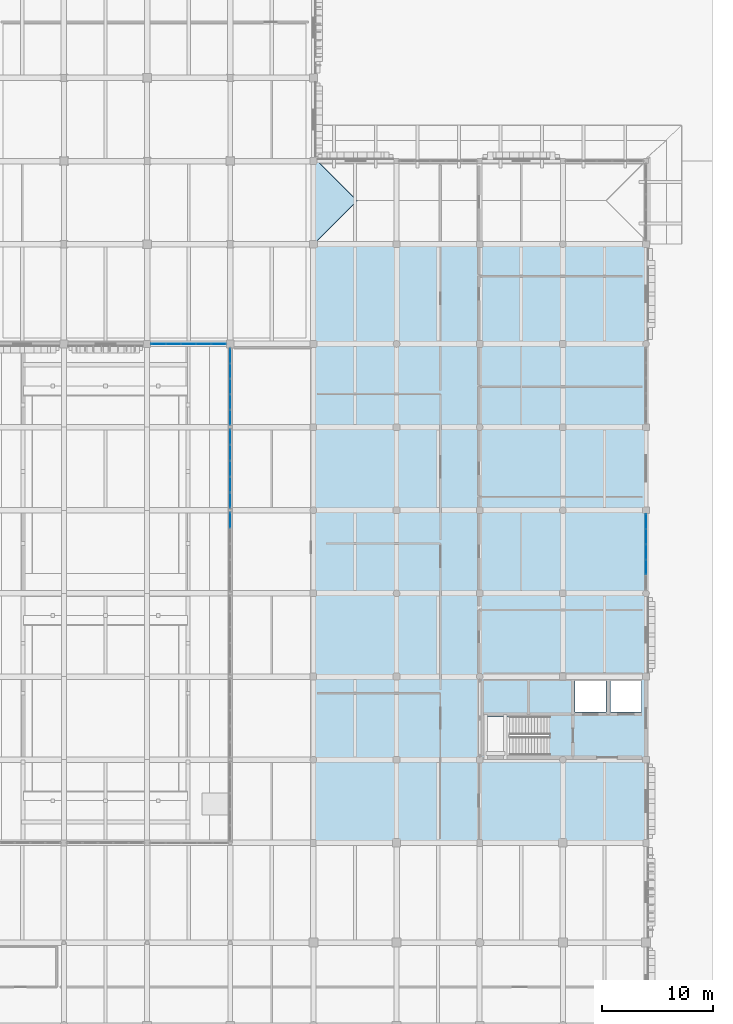
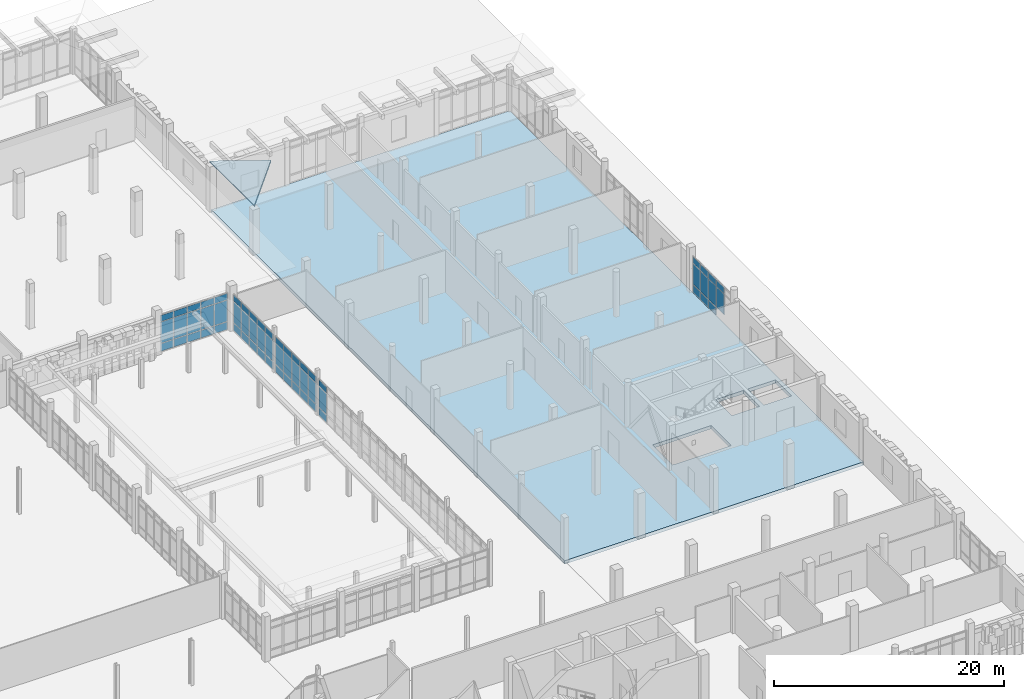
# One storey, part 84 of 125: 59 plates, 2 slabs, 6 elements without a shape of their own.
"""IFC4 building model written with IfcOpenShell, lengths in metres."""

from ifc_helpers import new_model, si_unit, direction, frame, origin, origin_2d, place, context, subcontext, project, spatial, polyline, rectangle, outline, extrude, material, layer, layer_set, type_object, element, aggregate, save


model = new_model("IFC4")

# Units and contexts
model_context = context("Model", 3, precision=1e-05, world=origin(), true_north=direction((0.0, 1.0)))
body_context = subcontext(model_context, "Body", "Model", "MODEL_VIEW")
ifc_project = project(units=[si_unit("LENGTHUNIT", "METRE"), si_unit("AREAUNIT", "SQUARE_METRE"), si_unit("VOLUMEUNIT", "CUBIC_METRE"), si_unit("PLANEANGLEUNIT", "RADIAN"), si_unit("MASSUNIT", "GRAM", prefix="KILO")], contexts=[model_context])

# Site, building, storey
site_placement = place(None, origin())
site = spatial("IfcSite", under=ifc_project, at=site_placement, CompositionType="ELEMENT")
building_placement = place(site_placement, origin())
building = spatial("IfcBuilding", under=site, at=building_placement, Name="Dalvernix Boulevard General Hospital", CompositionType="ELEMENT")
storey_placement = place(building_placement, origin())
storey = spatial("IfcBuildingStorey", under=building, at=storey_placement, Name="L00", CompositionType="ELEMENT", Elevation=0.0)

# Curtain wall, plates
ifc_material_1 = material(Name="Thermally broken aluminium and solar-control glass curtain wall", Category="aluminium")
ifc_layer_1 = layer(ifc_material_1, 0.159912109375)
ifc_layer_set_1 = layer_set([ifc_layer_1], Name="Thermally broken aluminium and solar-control glass curtain wall (CW-CW-A-68x40)")
curtain_wall_type_1 = type_object("IfcCurtainWallType", Name="CW-CW-A-68x40", PredefinedType="USERDEFINED", material=ifc_layer_set_1)
curtain_wall_1_placement = place(storey_placement, origin())
curtain_wall_1 = element("IfcCurtainWall", 1, at=curtain_wall_1_placement, inside=storey, type_object=curtain_wall_type_1, Name="L00 curtain wall CW-A-68x40 17-10", ObjectType="GLAZED FACADE", PredefinedType="USERDEFINED")
ifc_material_2 = material(Name="Double-glazed solar-control low-emissivity glass", Category="glass")
ifc_layer_2 = layer(ifc_material_2, 0.02392578125)
ifc_layer_set_2 = layer_set([ifc_layer_2], Name="Double-glazed solar-control low-emissivity glass (PLT-CW-P1)")
plate_type_1 = type_object("IfcPlateType", Name="PLT-CW-P1", PredefinedType="CURTAIN_PANEL", material=ifc_layer_set_2)
plate_1_placement = place(storey_placement, frame((133.944580078125, 76.5, 0.06005859375), z_axis=(0.0, 0.0, 1.0), x_axis=(-1.0, 0.0, 0.0)))
plate_1 = element("IfcPlate", 2, at=plate_1_placement, type_object=plate_type_1, Name="CW-A-68x40 panel 1.1", PredefinedType="CURTAIN_PANEL", context=body_context, shape_type="SweptSolid", body=[
    extrude(rectangle(XDim=1.27099609375, YDim=0.02392578125, at=origin_2d()), origin(), (0.0, 0.0, 1.0), 0.81005859375),
])
plate_2_placement = place(storey_placement, frame((133.944580078125, 76.5, 0.93017578125), z_axis=(0.0, 0.0, 1.0), x_axis=(-1.0, 0.0, 0.0)))
plate_2 = element("IfcPlate", 3, at=plate_2_placement, type_object=plate_type_1, Name="CW-A-68x40 panel 1.2", PredefinedType="CURTAIN_PANEL", context=body_context, shape_type="SweptSolid", body=[
    extrude(rectangle(XDim=1.27099609375, YDim=0.02392578125, at=origin_2d()), origin(), (0.0, 0.0, 1.0), 2.239990234375),
])
plate_3_placement = place(storey_placement, frame((133.944580078125, 76.5, 3.22998046875), z_axis=(0.0, 0.0, 1.0), x_axis=(-1.0, 0.0, 0.0)))
plate_3 = element("IfcPlate", 4, at=plate_3_placement, type_object=plate_type_1, Name="CW-A-68x40 panel 1.3", PredefinedType="CURTAIN_PANEL", context=body_context, shape_type="SweptSolid", body=[
    extrude(rectangle(XDim=1.27099609375, YDim=0.02392578125, at=origin_2d()), origin(), (0.0, 0.0, 1.0), 0.659912109375),
])
plate_4_placement = place(storey_placement, frame((132.598388671875, 76.5, 0.06005859375), z_axis=(0.0, 0.0, 1.0), x_axis=(-1.0, 0.0, 0.0)))
plate_4 = element("IfcPlate", 5, at=plate_4_placement, type_object=plate_type_1, Name="CW-A-68x40 panel 2.1", PredefinedType="CURTAIN_PANEL", context=body_context, shape_type="SweptSolid", body=[
    extrude(rectangle(XDim=1.301025390625, YDim=0.02392578125, at=origin_2d()), origin(), (0.0, 0.0, 1.0), 0.81005859375),
])
plate_5_placement = place(storey_placement, frame((132.598388671875, 76.5, 0.93017578125), z_axis=(0.0, 0.0, 1.0), x_axis=(-1.0, 0.0, 0.0)))
plate_5 = element("IfcPlate", 6, at=plate_5_placement, type_object=plate_type_1, Name="CW-A-68x40 panel 2.2", PredefinedType="CURTAIN_PANEL", context=body_context, shape_type="SweptSolid", body=[
    extrude(rectangle(XDim=1.301025390625, YDim=0.02392578125, at=origin_2d()), origin(), (0.0, 0.0, 1.0), 2.239990234375),
])
plate_6_placement = place(storey_placement, frame((132.598388671875, 76.5, 3.22998046875), z_axis=(0.0, 0.0, 1.0), x_axis=(-1.0, 0.0, 0.0)))
plate_6 = element("IfcPlate", 7, at=plate_6_placement, type_object=plate_type_1, Name="CW-A-68x40 panel 2.3", PredefinedType="CURTAIN_PANEL", context=body_context, shape_type="SweptSolid", body=[
    extrude(rectangle(XDim=1.301025390625, YDim=0.02392578125, at=origin_2d()), origin(), (0.0, 0.0, 1.0), 0.659912109375),
])
plate_7_placement = place(storey_placement, frame((131.237548828125, 76.5, 0.06005859375), z_axis=(0.0, 0.0, 1.0), x_axis=(-1.0, 0.0, 0.0)))
plate_7 = element("IfcPlate", 8, at=plate_7_placement, type_object=plate_type_1, Name="CW-A-68x40 panel 3.1", PredefinedType="CURTAIN_PANEL", context=body_context, shape_type="SweptSolid", body=[
    extrude(rectangle(XDim=1.301025390625, YDim=0.02392578125, at=origin_2d()), origin(), (0.0, 0.0, 1.0), 0.81005859375),
])
plate_8_placement = place(storey_placement, frame((131.237548828125, 76.5, 0.93017578125), z_axis=(0.0, 0.0, 1.0), x_axis=(-1.0, 0.0, 0.0)))
plate_8 = element("IfcPlate", 9, at=plate_8_placement, type_object=plate_type_1, Name="CW-A-68x40 panel 3.2", PredefinedType="CURTAIN_PANEL", context=body_context, shape_type="SweptSolid", body=[
    extrude(rectangle(XDim=1.301025390625, YDim=0.02392578125, at=origin_2d()), origin(), (0.0, 0.0, 1.0), 2.239990234375),
])
plate_9_placement = place(storey_placement, frame((131.237548828125, 76.5, 3.22998046875), z_axis=(0.0, 0.0, 1.0), x_axis=(-1.0, 0.0, 0.0)))
plate_9 = element("IfcPlate", 10, at=plate_9_placement, type_object=plate_type_1, Name="CW-A-68x40 panel 3.3", PredefinedType="CURTAIN_PANEL", context=body_context, shape_type="SweptSolid", body=[
    extrude(rectangle(XDim=1.301025390625, YDim=0.02392578125, at=origin_2d()), origin(), (0.0, 0.0, 1.0), 0.659912109375),
])
plate_10_placement = place(storey_placement, frame((129.87646484375, 76.5, 0.06005859375), z_axis=(0.0, 0.0, 1.0), x_axis=(-1.0, 0.0, 0.0)))
plate_10 = element("IfcPlate", 11, at=plate_10_placement, type_object=plate_type_1, Name="CW-A-68x40 panel 4.1", PredefinedType="CURTAIN_PANEL", context=body_context, shape_type="SweptSolid", body=[
    extrude(rectangle(XDim=1.301025390625, YDim=0.02392578125, at=origin_2d()), origin(), (0.0, 0.0, 1.0), 0.81005859375),
])
plate_11_placement = place(storey_placement, frame((129.87646484375, 76.5, 0.93017578125), z_axis=(0.0, 0.0, 1.0), x_axis=(-1.0, 0.0, 0.0)))
plate_11 = element("IfcPlate", 12, at=plate_11_placement, type_object=plate_type_1, Name="CW-A-68x40 panel 4.2", PredefinedType="CURTAIN_PANEL", context=body_context, shape_type="SweptSolid", body=[
    extrude(rectangle(XDim=1.301025390625, YDim=0.02392578125, at=origin_2d()), origin(), (0.0, 0.0, 1.0), 2.239990234375),
])
plate_12_placement = place(storey_placement, frame((129.87646484375, 76.5, 3.22998046875), z_axis=(0.0, 0.0, 1.0), x_axis=(-1.0, 0.0, 0.0)))
plate_12 = element("IfcPlate", 13, at=plate_12_placement, type_object=plate_type_1, Name="CW-A-68x40 panel 4.3", PredefinedType="CURTAIN_PANEL", context=body_context, shape_type="SweptSolid", body=[
    extrude(rectangle(XDim=1.301025390625, YDim=0.02392578125, at=origin_2d()), origin(), (0.0, 0.0, 1.0), 0.659912109375),
])
plate_13_placement = place(storey_placement, frame((128.530517578125, 76.5, 0.06005859375), z_axis=(0.0, 0.0, 1.0), x_axis=(-1.0, 0.0, 0.0)))
plate_13 = element("IfcPlate", 14, at=plate_13_placement, type_object=plate_type_1, Name="CW-A-68x40 panel 5.1", PredefinedType="CURTAIN_PANEL", context=body_context, shape_type="SweptSolid", body=[
    extrude(rectangle(XDim=1.27099609375, YDim=0.02392578125, at=origin_2d()), origin(), (0.0, 0.0, 1.0), 0.81005859375),
])
plate_14_placement = place(storey_placement, frame((128.530517578125, 76.5, 0.93017578125), z_axis=(0.0, 0.0, 1.0), x_axis=(-1.0, 0.0, 0.0)))
plate_14 = element("IfcPlate", 15, at=plate_14_placement, type_object=plate_type_1, Name="CW-A-68x40 panel 5.2", PredefinedType="CURTAIN_PANEL", context=body_context, shape_type="SweptSolid", body=[
    extrude(rectangle(XDim=1.27099609375, YDim=0.02392578125, at=origin_2d()), origin(), (0.0, 0.0, 1.0), 2.239990234375),
])
plate_15_placement = place(storey_placement, frame((128.530517578125, 76.5, 3.22998046875), z_axis=(0.0, 0.0, 1.0), x_axis=(-1.0, 0.0, 0.0)))
plate_15 = element("IfcPlate", 16, at=plate_15_placement, type_object=plate_type_1, Name="CW-A-68x40 panel 5.3", PredefinedType="CURTAIN_PANEL", context=body_context, shape_type="SweptSolid", body=[
    extrude(rectangle(XDim=1.27099609375, YDim=0.02392578125, at=origin_2d()), origin(), (0.0, 0.0, 1.0), 0.659912109375),
])
aggregate(curtain_wall_1, [plate_1, plate_2, plate_3, plate_4, plate_5, plate_6, plate_7, plate_8, plate_9, plate_10, plate_11, plate_12, plate_13, plate_14, plate_15])

ifc_layer_3 = layer(ifc_material_1, 0.159912109375)
ifc_layer_set_3 = layer_set([ifc_layer_3], Name="Thermally broken aluminium and solar-control glass curtain wall (CW-CW-A-70x39)")
curtain_wall_type_2 = type_object("IfcCurtainWallType", Name="CW-CW-A-70x39", PredefinedType="USERDEFINED", material=ifc_layer_set_3)
curtain_wall_2_placement = place(storey_placement, origin())
curtain_wall_2 = element("IfcCurtainWall", 17, at=curtain_wall_2_placement, inside=storey, type_object=curtain_wall_type_2, Name="L00 curtain wall CW-A-70x39 18-9", ObjectType="GLAZED FACADE", PredefinedType="USERDEFINED")
plate_16_placement = place(storey_placement, frame((135.0, 69.882080078125, 0.06005859375), z_axis=(0.0, 0.0, 1.0), x_axis=(0.0, 1.0, 0.0)))
plate_16 = element("IfcPlate", 18, at=plate_16_placement, type_object=plate_type_1, Name="CW-A-70x39 panel 1.1", PredefinedType="CURTAIN_PANEL", context=body_context, shape_type="SweptSolid", body=[
    extrude(rectangle(XDim=1.303955078125, YDim=0.02392578125, at=origin_2d()), origin(), (0.0, 0.0, 1.0), 0.81005859375),
])
plate_17_placement = place(storey_placement, frame((135.0, 69.882080078125, 0.929931640625), z_axis=(0.0, 0.0, 1.0), x_axis=(0.0, 1.0, 0.0)))
plate_17 = element("IfcPlate", 19, at=plate_17_placement, type_object=plate_type_1, Name="CW-A-70x39 panel 1.2", PredefinedType="CURTAIN_PANEL", context=body_context, shape_type="SweptSolid", body=[
    extrude(rectangle(XDim=1.303955078125, YDim=0.02392578125, at=origin_2d()), origin(), (0.0, 0.0, 1.0), 2.18994140625),
])
plate_18_placement = place(storey_placement, frame((135.0, 69.882080078125, 3.18017578125), z_axis=(0.0, 0.0, 1.0), x_axis=(0.0, 1.0, 0.0)))
plate_18 = element("IfcPlate", 20, at=plate_18_placement, type_object=plate_type_1, Name="CW-A-70x39 panel 1.3", PredefinedType="CURTAIN_PANEL", context=body_context, shape_type="SweptSolid", body=[
    extrude(rectangle(XDim=1.303955078125, YDim=0.02392578125, at=origin_2d()), origin(), (0.0, 0.0, 1.0), 0.659912109375),
])
plate_19_placement = place(storey_placement, frame((135.0, 71.260986328125, 0.06005859375), z_axis=(0.0, 0.0, 1.0), x_axis=(0.0, 1.0, 0.0)))
plate_19 = element("IfcPlate", 21, at=plate_19_placement, type_object=plate_type_1, Name="CW-A-70x39 panel 2.1", PredefinedType="CURTAIN_PANEL", context=body_context, shape_type="SweptSolid", body=[
    extrude(rectangle(XDim=1.333984375, YDim=0.02392578125, at=origin_2d()), origin(), (0.0, 0.0, 1.0), 0.81005859375),
])
plate_20_placement = place(storey_placement, frame((135.0, 71.260986328125, 0.929931640625), z_axis=(0.0, 0.0, 1.0), x_axis=(0.0, 1.0, 0.0)))
plate_20 = element("IfcPlate", 22, at=plate_20_placement, type_object=plate_type_1, Name="CW-A-70x39 panel 2.2", PredefinedType="CURTAIN_PANEL", context=body_context, shape_type="SweptSolid", body=[
    extrude(rectangle(XDim=1.333984375, YDim=0.02392578125, at=origin_2d()), origin(), (0.0, 0.0, 1.0), 2.18994140625),
])
plate_21_placement = place(storey_placement, frame((135.0, 71.260986328125, 3.18017578125), z_axis=(0.0, 0.0, 1.0), x_axis=(0.0, 1.0, 0.0)))
plate_21 = element("IfcPlate", 23, at=plate_21_placement, type_object=plate_type_1, Name="CW-A-70x39 panel 2.3", PredefinedType="CURTAIN_PANEL", context=body_context, shape_type="SweptSolid", body=[
    extrude(rectangle(XDim=1.333984375, YDim=0.02392578125, at=origin_2d()), origin(), (0.0, 0.0, 1.0), 0.659912109375),
])
plate_22_placement = place(storey_placement, frame((135.0, 72.655029296875, 0.06005859375), z_axis=(0.0, 0.0, 1.0), x_axis=(0.0, 1.0, 0.0)))
plate_22 = element("IfcPlate", 24, at=plate_22_placement, type_object=plate_type_1, Name="CW-A-70x39 panel 3.1", PredefinedType="CURTAIN_PANEL", context=body_context, shape_type="SweptSolid", body=[
    extrude(rectangle(XDim=1.333984375, YDim=0.02392578125, at=origin_2d()), origin(), (0.0, 0.0, 1.0), 0.81005859375),
])
plate_23_placement = place(storey_placement, frame((135.0, 72.655029296875, 0.929931640625), z_axis=(0.0, 0.0, 1.0), x_axis=(0.0, 1.0, 0.0)))
plate_23 = element("IfcPlate", 25, at=plate_23_placement, type_object=plate_type_1, Name="CW-A-70x39 panel 3.2", PredefinedType="CURTAIN_PANEL", context=body_context, shape_type="SweptSolid", body=[
    extrude(rectangle(XDim=1.333984375, YDim=0.02392578125, at=origin_2d()), origin(), (0.0, 0.0, 1.0), 2.18994140625),
])
plate_24_placement = place(storey_placement, frame((135.0, 72.655029296875, 3.18017578125), z_axis=(0.0, 0.0, 1.0), x_axis=(0.0, 1.0, 0.0)))
plate_24 = element("IfcPlate", 26, at=plate_24_placement, type_object=plate_type_1, Name="CW-A-70x39 panel 3.3", PredefinedType="CURTAIN_PANEL", context=body_context, shape_type="SweptSolid", body=[
    extrude(rectangle(XDim=1.333984375, YDim=0.02392578125, at=origin_2d()), origin(), (0.0, 0.0, 1.0), 0.659912109375),
])
plate_25_placement = place(storey_placement, frame((135.0, 74.049072265625, 0.06005859375), z_axis=(0.0, 0.0, 1.0), x_axis=(0.0, 1.0, 0.0)))
plate_25 = element("IfcPlate", 27, at=plate_25_placement, type_object=plate_type_1, Name="CW-A-70x39 panel 4.1", PredefinedType="CURTAIN_PANEL", context=body_context, shape_type="SweptSolid", body=[
    extrude(rectangle(XDim=1.333984375, YDim=0.02392578125, at=origin_2d()), origin(), (0.0, 0.0, 1.0), 0.81005859375),
])
plate_26_placement = place(storey_placement, frame((135.0, 74.049072265625, 0.929931640625), z_axis=(0.0, 0.0, 1.0), x_axis=(0.0, 1.0, 0.0)))
plate_26 = element("IfcPlate", 28, at=plate_26_placement, type_object=plate_type_1, Name="CW-A-70x39 panel 4.2", PredefinedType="CURTAIN_PANEL", context=body_context, shape_type="SweptSolid", body=[
    extrude(rectangle(XDim=1.333984375, YDim=0.02392578125, at=origin_2d()), origin(), (0.0, 0.0, 1.0), 2.18994140625),
])
plate_27_placement = place(storey_placement, frame((135.0, 74.049072265625, 3.18017578125), z_axis=(0.0, 0.0, 1.0), x_axis=(0.0, 1.0, 0.0)))
plate_27 = element("IfcPlate", 29, at=plate_27_placement, type_object=plate_type_1, Name="CW-A-70x39 panel 4.3", PredefinedType="CURTAIN_PANEL", context=body_context, shape_type="SweptSolid", body=[
    extrude(rectangle(XDim=1.333984375, YDim=0.02392578125, at=origin_2d()), origin(), (0.0, 0.0, 1.0), 0.659912109375),
])
plate_28_placement = place(storey_placement, frame((135.0, 75.427978515625, 0.06005859375), z_axis=(0.0, 0.0, 1.0), x_axis=(0.0, 1.0, 0.0)))
plate_28 = element("IfcPlate", 30, at=plate_28_placement, type_object=plate_type_1, Name="CW-A-70x39 panel 5.1", PredefinedType="CURTAIN_PANEL", context=body_context, shape_type="SweptSolid", body=[
    extrude(rectangle(XDim=1.303955078125, YDim=0.02392578125, at=origin_2d()), origin(), (0.0, 0.0, 1.0), 0.81005859375),
])
plate_29_placement = place(storey_placement, frame((135.0, 75.427978515625, 0.929931640625), z_axis=(0.0, 0.0, 1.0), x_axis=(0.0, 1.0, 0.0)))
plate_29 = element("IfcPlate", 31, at=plate_29_placement, type_object=plate_type_1, Name="CW-A-70x39 panel 5.2", PredefinedType="CURTAIN_PANEL", context=body_context, shape_type="SweptSolid", body=[
    extrude(rectangle(XDim=1.303955078125, YDim=0.02392578125, at=origin_2d()), origin(), (0.0, 0.0, 1.0), 2.18994140625),
])
plate_30_placement = place(storey_placement, frame((135.0, 75.427978515625, 3.18017578125), z_axis=(0.0, 0.0, 1.0), x_axis=(0.0, 1.0, 0.0)))
plate_30 = element("IfcPlate", 32, at=plate_30_placement, type_object=plate_type_1, Name="CW-A-70x39 panel 5.3", PredefinedType="CURTAIN_PANEL", context=body_context, shape_type="SweptSolid", body=[
    extrude(rectangle(XDim=1.303955078125, YDim=0.02392578125, at=origin_2d()), origin(), (0.0, 0.0, 1.0), 0.659912109375),
])
aggregate(curtain_wall_2, [plate_16, plate_17, plate_18, plate_19, plate_20, plate_21, plate_22, plate_23, plate_24, plate_25, plate_26, plate_27, plate_28, plate_29, plate_30])

ifc_layer_4 = layer(ifc_material_1, 0.159912109375)
ifc_layer_set_4 = layer_set([ifc_layer_4], Name="Thermally broken aluminium and solar-control glass curtain wall (CW-CW-A-69x39)")
curtain_wall_type_3 = type_object("IfcCurtainWallType", Name="CW-CW-A-69x39", PredefinedType="USERDEFINED", material=ifc_layer_set_4)
curtain_wall_3_placement = place(storey_placement, origin())
curtain_wall_3 = element("IfcCurtainWall", 33, at=curtain_wall_3_placement, inside=storey, type_object=curtain_wall_type_3, Name="L00 curtain wall CW-A-69x39 23-7", ObjectType="GLAZED FACADE", PredefinedType="USERDEFINED")
plate_31_placement = place(storey_placement, frame((172.5, 60.487060546875, 0.06005859375), z_axis=(0.0, 0.0, 1.0), x_axis=(0.0, -1.0, 0.0)))
plate_31 = element("IfcPlate", 34, at=plate_31_placement, type_object=plate_type_1, Name="CW-A-69x39 panel 1.1", PredefinedType="CURTAIN_PANEL", context=body_context, shape_type="SweptSolid", body=[
    extrude(rectangle(XDim=1.285888671875, YDim=0.02392578125, at=origin_2d()), origin(), (0.0, 0.0, 1.0), 0.81005859375),
])
plate_32_placement = place(storey_placement, frame((172.5, 60.487060546875, 0.929931640625), z_axis=(0.0, 0.0, 1.0), x_axis=(0.0, -1.0, 0.0)))
plate_32 = element("IfcPlate", 35, at=plate_32_placement, type_object=plate_type_1, Name="CW-A-69x39 panel 1.2", PredefinedType="CURTAIN_PANEL", context=body_context, shape_type="SweptSolid", body=[
    extrude(rectangle(XDim=1.285888671875, YDim=0.02392578125, at=origin_2d()), origin(), (0.0, 0.0, 1.0), 2.18994140625),
])
plate_33_placement = place(storey_placement, frame((172.5, 60.487060546875, 3.18017578125), z_axis=(0.0, 0.0, 1.0), x_axis=(0.0, -1.0, 0.0)))
plate_33 = element("IfcPlate", 36, at=plate_33_placement, type_object=plate_type_1, Name="CW-A-69x39 panel 1.3", PredefinedType="CURTAIN_PANEL", context=body_context, shape_type="SweptSolid", body=[
    extrude(rectangle(XDim=1.285888671875, YDim=0.02392578125, at=origin_2d()), origin(), (0.0, 0.0, 1.0), 0.659912109375),
])
plate_34_placement = place(storey_placement, frame((172.5, 59.1259765625, 0.06005859375), z_axis=(0.0, 0.0, 1.0), x_axis=(0.0, -1.0, 0.0)))
plate_34 = element("IfcPlate", 37, at=plate_34_placement, type_object=plate_type_1, Name="CW-A-69x39 panel 2.1", PredefinedType="CURTAIN_PANEL", context=body_context, shape_type="SweptSolid", body=[
    extrude(rectangle(XDim=1.31591796875, YDim=0.02392578125, at=origin_2d()), origin(), (0.0, 0.0, 1.0), 0.81005859375),
])
plate_35_placement = place(storey_placement, frame((172.5, 59.1259765625, 0.929931640625), z_axis=(0.0, 0.0, 1.0), x_axis=(0.0, -1.0, 0.0)))
plate_35 = element("IfcPlate", 38, at=plate_35_placement, type_object=plate_type_1, Name="CW-A-69x39 panel 2.2", PredefinedType="CURTAIN_PANEL", context=body_context, shape_type="SweptSolid", body=[
    extrude(rectangle(XDim=1.31591796875, YDim=0.02392578125, at=origin_2d()), origin(), (0.0, 0.0, 1.0), 2.18994140625),
])
plate_36_placement = place(storey_placement, frame((172.5, 59.1259765625, 3.18017578125), z_axis=(0.0, 0.0, 1.0), x_axis=(0.0, -1.0, 0.0)))
plate_36 = element("IfcPlate", 39, at=plate_36_placement, type_object=plate_type_1, Name="CW-A-69x39 panel 2.3", PredefinedType="CURTAIN_PANEL", context=body_context, shape_type="SweptSolid", body=[
    extrude(rectangle(XDim=1.31591796875, YDim=0.02392578125, at=origin_2d()), origin(), (0.0, 0.0, 1.0), 0.659912109375),
])
plate_37_placement = place(storey_placement, frame((172.5, 57.75, 0.06005859375), z_axis=(0.0, 0.0, 1.0), x_axis=(0.0, -1.0, 0.0)))
plate_37 = element("IfcPlate", 40, at=plate_37_placement, type_object=plate_type_1, Name="CW-A-69x39 panel 3.1", PredefinedType="CURTAIN_PANEL", context=body_context, shape_type="SweptSolid", body=[
    extrude(rectangle(XDim=1.31591796875, YDim=0.02392578125, at=origin_2d()), origin(), (0.0, 0.0, 1.0), 0.81005859375),
])
plate_38_placement = place(storey_placement, frame((172.5, 57.75, 0.929931640625), z_axis=(0.0, 0.0, 1.0), x_axis=(0.0, -1.0, 0.0)))
plate_38 = element("IfcPlate", 41, at=plate_38_placement, type_object=plate_type_1, Name="CW-A-69x39 panel 3.2", PredefinedType="CURTAIN_PANEL", context=body_context, shape_type="SweptSolid", body=[
    extrude(rectangle(XDim=1.31591796875, YDim=0.02392578125, at=origin_2d()), origin(), (0.0, 0.0, 1.0), 2.18994140625),
])
plate_39_placement = place(storey_placement, frame((172.5, 57.75, 3.18017578125), z_axis=(0.0, 0.0, 1.0), x_axis=(0.0, -1.0, 0.0)))
plate_39 = element("IfcPlate", 42, at=plate_39_placement, type_object=plate_type_1, Name="CW-A-69x39 panel 3.3", PredefinedType="CURTAIN_PANEL", context=body_context, shape_type="SweptSolid", body=[
    extrude(rectangle(XDim=1.31591796875, YDim=0.02392578125, at=origin_2d()), origin(), (0.0, 0.0, 1.0), 0.659912109375),
])
plate_40_placement = place(storey_placement, frame((172.5, 56.3740234375, 0.929931640625), z_axis=(0.0, 0.0, 1.0), x_axis=(0.0, -1.0, 0.0)))
plate_40 = element("IfcPlate", 43, at=plate_40_placement, type_object=plate_type_1, Name="CW-A-69x39 panel 4.2", PredefinedType="CURTAIN_PANEL", context=body_context, shape_type="SweptSolid", body=[
    extrude(rectangle(XDim=1.31591796875, YDim=0.02392578125, at=origin_2d()), origin(), (0.0, 0.0, 1.0), 2.18994140625),
])
plate_41_placement = place(storey_placement, frame((172.5, 56.3740234375, 3.18017578125), z_axis=(0.0, 0.0, 1.0), x_axis=(0.0, -1.0, 0.0)))
plate_41 = element("IfcPlate", 44, at=plate_41_placement, type_object=plate_type_1, Name="CW-A-69x39 panel 4.3", PredefinedType="CURTAIN_PANEL", context=body_context, shape_type="SweptSolid", body=[
    extrude(rectangle(XDim=1.31591796875, YDim=0.02392578125, at=origin_2d()), origin(), (0.0, 0.0, 1.0), 0.659912109375),
])
aggregate(curtain_wall_3, [plate_31, plate_32, plate_33, plate_34, plate_35, plate_36, plate_37, plate_38, plate_39, plate_40, plate_41])

ifc_layer_5 = layer(ifc_material_1, 0.179931640625)
ifc_layer_set_5 = layer_set([ifc_layer_5], Name="Thermally broken aluminium and solar-control glass curtain wall (CW-CW-B-72x39)")
curtain_wall_type_4 = type_object("IfcCurtainWallType", Name="CW-CW-B-72x39", PredefinedType="USERDEFINED", material=ifc_layer_set_5)
curtain_wall_4_placement = place(storey_placement, origin())
curtain_wall_4 = element("IfcCurtainWall", 45, at=curtain_wall_4_placement, inside=storey, type_object=curtain_wall_type_4, Name="L00 curtain wall CW-B-72x39 18-7", ObjectType="GLAZED FACADE", PredefinedType="USERDEFINED")
ifc_layer_6 = layer(ifc_material_2, 0.028076171875)
ifc_layer_set_6 = layer_set([ifc_layer_6], Name="Double-glazed solar-control low-emissivity glass (PLT-CW-P2)")
plate_type_2 = type_object("IfcPlateType", Name="PLT-CW-P2", PredefinedType="CURTAIN_PANEL", material=ifc_layer_set_6)
plate_42_placement = place(storey_placement, frame((135.0, 60.59765625, 0.06494140625), z_axis=(0.0, 0.0, 1.0), x_axis=(0.0, 1.0, 0.0)))
plate_42 = element("IfcPlate", 46, at=plate_42_placement, type_object=plate_type_2, Name="CW-B-72x39 panel 5.1", PredefinedType="CURTAIN_PANEL", context=body_context, shape_type="SweptSolid", body=[
    extrude(rectangle(XDim=1.33447265625, YDim=0.028076171875, at=origin_2d()), origin(), (0.0, 0.0, 1.0), 0.802490234375),
])
plate_43_placement = place(storey_placement, frame((135.0, 60.59765625, 0.932373046875), z_axis=(0.0, 0.0, 1.0), x_axis=(0.0, 1.0, 0.0)))
plate_43 = element("IfcPlate", 47, at=plate_43_placement, type_object=plate_type_2, Name="CW-B-72x39 panel 5.2", PredefinedType="CURTAIN_PANEL", context=body_context, shape_type="SweptSolid", body=[
    extrude(rectangle(XDim=1.33447265625, YDim=0.028076171875, at=origin_2d()), origin(), (0.0, 0.0, 1.0), 2.18505859375),
])
plate_44_placement = place(storey_placement, frame((135.0, 60.59765625, 3.1826171875), z_axis=(0.0, 0.0, 1.0), x_axis=(0.0, 1.0, 0.0)))
plate_44 = element("IfcPlate", 48, at=plate_44_placement, type_object=plate_type_2, Name="CW-B-72x39 panel 5.3", PredefinedType="CURTAIN_PANEL", context=body_context, shape_type="SweptSolid", body=[
    extrude(rectangle(XDim=1.33447265625, YDim=0.028076171875, at=origin_2d()), origin(), (0.0, 0.0, 1.0), 0.652587890625),
])
aggregate(curtain_wall_4, [plate_42, plate_43, plate_44])

ifc_layer_7 = layer(ifc_material_1, 0.199951171875)
ifc_layer_set_7 = layer_set([ifc_layer_7], Name="Thermally broken aluminium and solar-control glass curtain wall (CW-CW-C-72x39)")
curtain_wall_type_5 = type_object("IfcCurtainWallType", Name="CW-CW-C-72x39", PredefinedType="USERDEFINED", material=ifc_layer_set_7)
curtain_wall_5_placement = place(storey_placement, origin())
curtain_wall_5 = element("IfcCurtainWall", 49, at=curtain_wall_5_placement, inside=storey, type_object=curtain_wall_type_5, Name="L00 curtain wall CW-C-72x39 18-8", ObjectType="GLAZED FACADE", PredefinedType="USERDEFINED")
ifc_layer_8 = layer(ifc_material_2, 0.035888671875)
ifc_layer_set_8 = layer_set([ifc_layer_8], Name="Double-glazed solar-control low-emissivity glass (PLT-CW-P3)")
plate_type_3 = type_object("IfcPlateType", Name="PLT-CW-P3", PredefinedType="CURTAIN_PANEL", material=ifc_layer_set_8)
plate_45_placement = place(storey_placement, frame((135.0, 62.403564453125, 0.070068359375), z_axis=(0.0, 0.0, 1.0), x_axis=(0.0, 1.0, 0.0)))
plate_45 = element("IfcPlate", 50, at=plate_45_placement, type_object=plate_type_3, Name="CW-C-72x39 panel 1.1", PredefinedType="CURTAIN_PANEL", context=body_context, shape_type="SweptSolid", body=[
    extrude(rectangle(XDim=1.326904296875, YDim=0.035888671875, at=origin_2d()), origin(), (0.0, 0.0, 1.0), 0.794921875),
])
plate_46_placement = place(storey_placement, frame((135.0, 62.403564453125, 0.93505859375), z_axis=(0.0, 0.0, 1.0), x_axis=(0.0, 1.0, 0.0)))
plate_46 = element("IfcPlate", 51, at=plate_46_placement, type_object=plate_type_3, Name="CW-C-72x39 panel 1.2", PredefinedType="CURTAIN_PANEL", context=body_context, shape_type="SweptSolid", body=[
    extrude(rectangle(XDim=1.326904296875, YDim=0.035888671875, at=origin_2d()), origin(), (0.0, 0.0, 1.0), 2.179931640625),
])
plate_47_placement = place(storey_placement, frame((135.0, 62.403564453125, 3.18505859375), z_axis=(0.0, 0.0, 1.0), x_axis=(0.0, 1.0, 0.0)))
plate_47 = element("IfcPlate", 52, at=plate_47_placement, type_object=plate_type_3, Name="CW-C-72x39 panel 1.3", PredefinedType="CURTAIN_PANEL", context=body_context, shape_type="SweptSolid", body=[
    extrude(rectangle(XDim=1.326904296875, YDim=0.035888671875, at=origin_2d()), origin(), (0.0, 0.0, 1.0), 0.64501953125),
])
plate_48_placement = place(storey_placement, frame((135.0, 63.818115234375, 0.070068359375), z_axis=(0.0, 0.0, 1.0), x_axis=(0.0, 1.0, 0.0)))
plate_48 = element("IfcPlate", 53, at=plate_48_placement, type_object=plate_type_3, Name="CW-C-72x39 panel 2.1", PredefinedType="CURTAIN_PANEL", context=body_context, shape_type="SweptSolid", body=[
    extrude(rectangle(XDim=1.362060546875, YDim=0.035888671875, at=origin_2d()), origin(), (0.0, 0.0, 1.0), 0.794921875),
])
plate_49_placement = place(storey_placement, frame((135.0, 63.818115234375, 0.93505859375), z_axis=(0.0, 0.0, 1.0), x_axis=(0.0, 1.0, 0.0)))
plate_49 = element("IfcPlate", 54, at=plate_49_placement, type_object=plate_type_3, Name="CW-C-72x39 panel 2.2", PredefinedType="CURTAIN_PANEL", context=body_context, shape_type="SweptSolid", body=[
    extrude(rectangle(XDim=1.362060546875, YDim=0.035888671875, at=origin_2d()), origin(), (0.0, 0.0, 1.0), 2.179931640625),
])
plate_50_placement = place(storey_placement, frame((135.0, 63.818115234375, 3.18505859375), z_axis=(0.0, 0.0, 1.0), x_axis=(0.0, 1.0, 0.0)))
plate_50 = element("IfcPlate", 55, at=plate_50_placement, type_object=plate_type_3, Name="CW-C-72x39 panel 2.3", PredefinedType="CURTAIN_PANEL", context=body_context, shape_type="SweptSolid", body=[
    extrude(rectangle(XDim=1.362060546875, YDim=0.035888671875, at=origin_2d()), origin(), (0.0, 0.0, 1.0), 0.64501953125),
])
plate_51_placement = place(storey_placement, frame((135.0, 65.25, 0.070068359375), z_axis=(0.0, 0.0, 1.0), x_axis=(0.0, 1.0, 0.0)))
plate_51 = element("IfcPlate", 56, at=plate_51_placement, type_object=plate_type_3, Name="CW-C-72x39 panel 3.1", PredefinedType="CURTAIN_PANEL", context=body_context, shape_type="SweptSolid", body=[
    extrude(rectangle(XDim=1.362060546875, YDim=0.035888671875, at=origin_2d()), origin(), (0.0, 0.0, 1.0), 0.794921875),
])
plate_52_placement = place(storey_placement, frame((135.0, 65.25, 0.93505859375), z_axis=(0.0, 0.0, 1.0), x_axis=(0.0, 1.0, 0.0)))
plate_52 = element("IfcPlate", 57, at=plate_52_placement, type_object=plate_type_3, Name="CW-C-72x39 panel 3.2", PredefinedType="CURTAIN_PANEL", context=body_context, shape_type="SweptSolid", body=[
    extrude(rectangle(XDim=1.362060546875, YDim=0.035888671875, at=origin_2d()), origin(), (0.0, 0.0, 1.0), 2.179931640625),
])
plate_53_placement = place(storey_placement, frame((135.0, 65.25, 3.18505859375), z_axis=(0.0, 0.0, 1.0), x_axis=(0.0, 1.0, 0.0)))
plate_53 = element("IfcPlate", 58, at=plate_53_placement, type_object=plate_type_3, Name="CW-C-72x39 panel 3.3", PredefinedType="CURTAIN_PANEL", context=body_context, shape_type="SweptSolid", body=[
    extrude(rectangle(XDim=1.362060546875, YDim=0.035888671875, at=origin_2d()), origin(), (0.0, 0.0, 1.0), 0.64501953125),
])
plate_54_placement = place(storey_placement, frame((135.0, 66.681884765625, 0.070068359375), z_axis=(0.0, 0.0, 1.0), x_axis=(0.0, 1.0, 0.0)))
plate_54 = element("IfcPlate", 59, at=plate_54_placement, type_object=plate_type_3, Name="CW-C-72x39 panel 4.1", PredefinedType="CURTAIN_PANEL", context=body_context, shape_type="SweptSolid", body=[
    extrude(rectangle(XDim=1.362060546875, YDim=0.035888671875, at=origin_2d()), origin(), (0.0, 0.0, 1.0), 0.794921875),
])
plate_55_placement = place(storey_placement, frame((135.0, 66.681884765625, 0.93505859375), z_axis=(0.0, 0.0, 1.0), x_axis=(0.0, 1.0, 0.0)))
plate_55 = element("IfcPlate", 60, at=plate_55_placement, type_object=plate_type_3, Name="CW-C-72x39 panel 4.2", PredefinedType="CURTAIN_PANEL", context=body_context, shape_type="SweptSolid", body=[
    extrude(rectangle(XDim=1.362060546875, YDim=0.035888671875, at=origin_2d()), origin(), (0.0, 0.0, 1.0), 2.179931640625),
])
plate_56_placement = place(storey_placement, frame((135.0, 66.681884765625, 3.18505859375), z_axis=(0.0, 0.0, 1.0), x_axis=(0.0, 1.0, 0.0)))
plate_56 = element("IfcPlate", 61, at=plate_56_placement, type_object=plate_type_3, Name="CW-C-72x39 panel 4.3", PredefinedType="CURTAIN_PANEL", context=body_context, shape_type="SweptSolid", body=[
    extrude(rectangle(XDim=1.362060546875, YDim=0.035888671875, at=origin_2d()), origin(), (0.0, 0.0, 1.0), 0.64501953125),
])
plate_57_placement = place(storey_placement, frame((135.0, 68.096435546875, 0.070068359375), z_axis=(0.0, 0.0, 1.0), x_axis=(0.0, 1.0, 0.0)))
plate_57 = element("IfcPlate", 62, at=plate_57_placement, type_object=plate_type_3, Name="CW-C-72x39 panel 5.1", PredefinedType="CURTAIN_PANEL", context=body_context, shape_type="SweptSolid", body=[
    extrude(rectangle(XDim=1.326904296875, YDim=0.035888671875, at=origin_2d()), origin(), (0.0, 0.0, 1.0), 0.794921875),
])
plate_58_placement = place(storey_placement, frame((135.0, 68.096435546875, 0.93505859375), z_axis=(0.0, 0.0, 1.0), x_axis=(0.0, 1.0, 0.0)))
plate_58 = element("IfcPlate", 63, at=plate_58_placement, type_object=plate_type_3, Name="CW-C-72x39 panel 5.2", PredefinedType="CURTAIN_PANEL", context=body_context, shape_type="SweptSolid", body=[
    extrude(rectangle(XDim=1.326904296875, YDim=0.035888671875, at=origin_2d()), origin(), (0.0, 0.0, 1.0), 2.179931640625),
])
plate_59_placement = place(storey_placement, frame((135.0, 68.096435546875, 3.18505859375), z_axis=(0.0, 0.0, 1.0), x_axis=(0.0, 1.0, 0.0)))
plate_59 = element("IfcPlate", 64, at=plate_59_placement, type_object=plate_type_3, Name="CW-C-72x39 panel 5.3", PredefinedType="CURTAIN_PANEL", context=body_context, shape_type="SweptSolid", body=[
    extrude(rectangle(XDim=1.326904296875, YDim=0.035888671875, at=origin_2d()), origin(), (0.0, 0.0, 1.0), 0.64501953125),
])
aggregate(curtain_wall_5, [plate_45, plate_46, plate_47, plate_48, plate_49, plate_50, plate_51, plate_52, plate_53, plate_54, plate_55, plate_56, plate_57, plate_58, plate_59])

# Slab
ifc_material_3 = material(Name="Concrete C35/45", Category="concrete")
ifc_layer_9 = layer(ifc_material_3, 0.360107421875)
ifc_layer_set_9 = layer_set([ifc_layer_9], Name="Concrete C35/45 (SLB-FS-01)")
slab_type_1 = type_object("IfcSlabType", Name="SLB-FS-01", PredefinedType="FLOOR", material=ifc_layer_set_9)
slab_1_placement = place(storey_placement, frame((0.0, 0.0, -0.360107421875)))
element("IfcSlab", 65, at=slab_1_placement, inside=storey, type_object=slab_type_1, Name="L00 V2 structural floor slab 1", PredefinedType="FLOOR", context=body_context, shape_type="SweptSolid", body=[
    extrude(outline(polyline([(142.5, 85.5), (142.5, 93.0), (150.0, 93.0), (157.5, 93.0), (165.0, 93.0), (172.5, 93.0), (172.5, 85.5), (172.5, 76.5), (172.5, 69.0), (172.5, 61.5), (172.5, 54.0), (172.5, 46.5), (172.5, 39.0), (172.5, 31.5), (165.0, 31.5), (157.5, 31.5), (150.0, 31.5), (142.5, 31.5), (142.5, 39.0), (142.5, 46.5), (142.5, 54.0), (142.5, 61.5), (142.5, 69.0), (142.5, 76.5), (142.5, 85.5)]), holes=[polyline([(157.89990234375, 39.39990234375), (163.7900390625, 39.39990234375), (163.7900390625, 42.89990234375), (157.89990234375, 42.89990234375), (157.89990234375, 39.39990234375)]), polyline([(166.10009765625, 46.10009765625), (166.10009765625, 43.300048828125), (168.89990234375, 43.300048828125), (168.89990234375, 46.10009765625), (166.10009765625, 46.10009765625)]), polyline([(172.10009765625, 46.10009765625), (169.300048828125, 46.10009765625), (169.300048828125, 43.300048828125), (172.10009765625, 43.300048828125), (172.10009765625, 46.10009765625)])]), origin(), (0.0, 0.0, 1.0), 0.360107421875),
])

# Roof, slab
ifc_material_4 = material(Name="Polychrome Catalan glazed terracotta tile roof system", Category="masonry")
roof_type = type_object("IfcRoofType", Name="ROOF-HIP-01", PredefinedType="HIP_ROOF", material=ifc_material_4)
roof_placement = place(storey_placement, origin())
roof = element("IfcRoof", 66, at=roof_placement, inside=storey, type_object=roof_type, Name="V2-L00N Hipped Ceramic Roof", PredefinedType="HIP_ROOF")
ifc_material_5 = material(Name="Glulam GL28h", Category="wood")
ifc_layer_10 = layer(ifc_material_5, 0.159912109375)
ifc_layer_set_10 = layer_set([ifc_layer_10], Name="Glulam GL28h (SLB-RS-04)")
slab_type_2 = type_object("IfcSlabType", Name="SLB-RS-04", PredefinedType="ROOF", material=ifc_layer_set_10)
slab_2_placement = place(storey_placement, frame((142.5, 93.35009765625, 4.966064453125), z_axis=(-0.265536966303, 0.0, 0.964100679144), x_axis=(0.0, -1.0, 0.0)))
slab_2 = element("IfcSlab", 67, at=slab_2_placement, type_object=slab_type_2, Name="V2-L00N hipped roof slab W", PredefinedType="ROOF", context=body_context, shape_type="SweptSolid", body=[
    extrude(outline(polyline([(0.0, 0.0), (7.85009765625, 0.0), (3.925048828125, 4.07120222299644), (0.0, 0.0)])), origin(), (0.0, 0.0, -1.0), 0.159912109375),
])
aggregate(roof, [slab_2])

save(model, "model.ifc")
